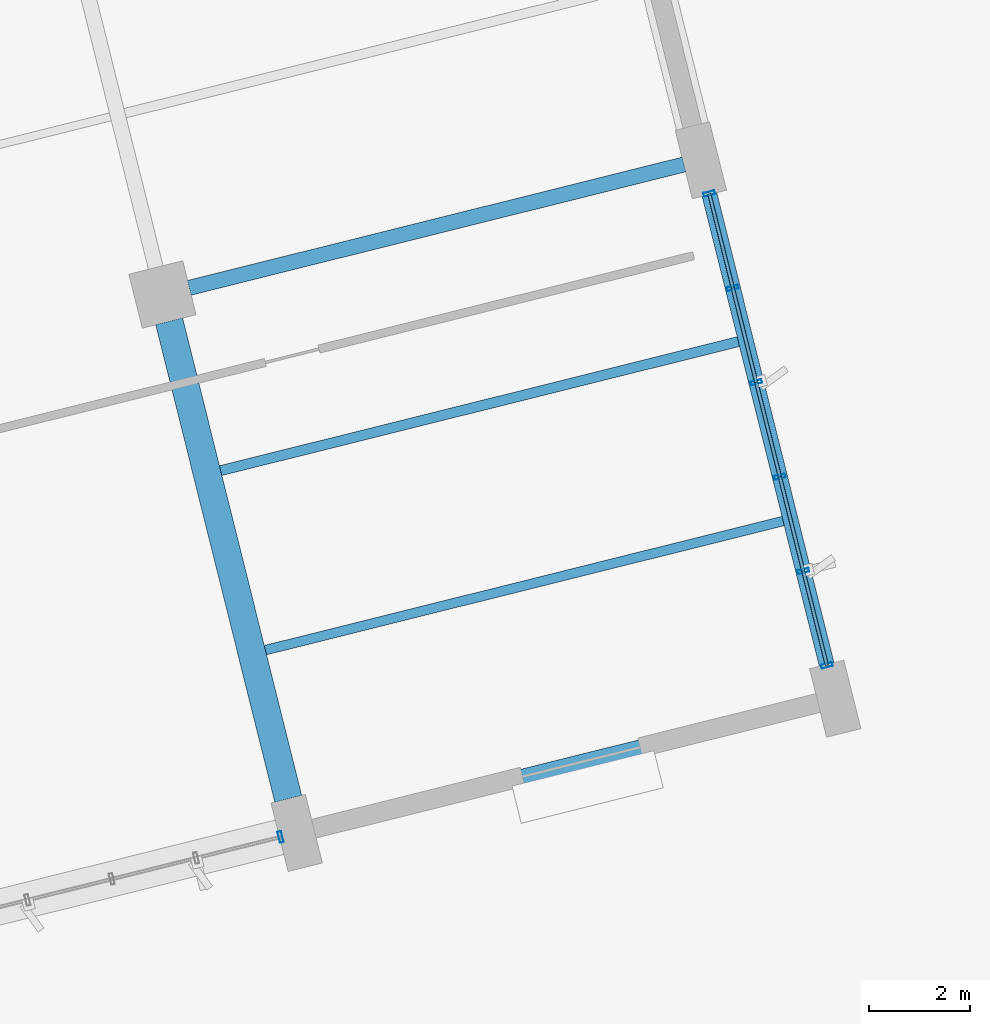
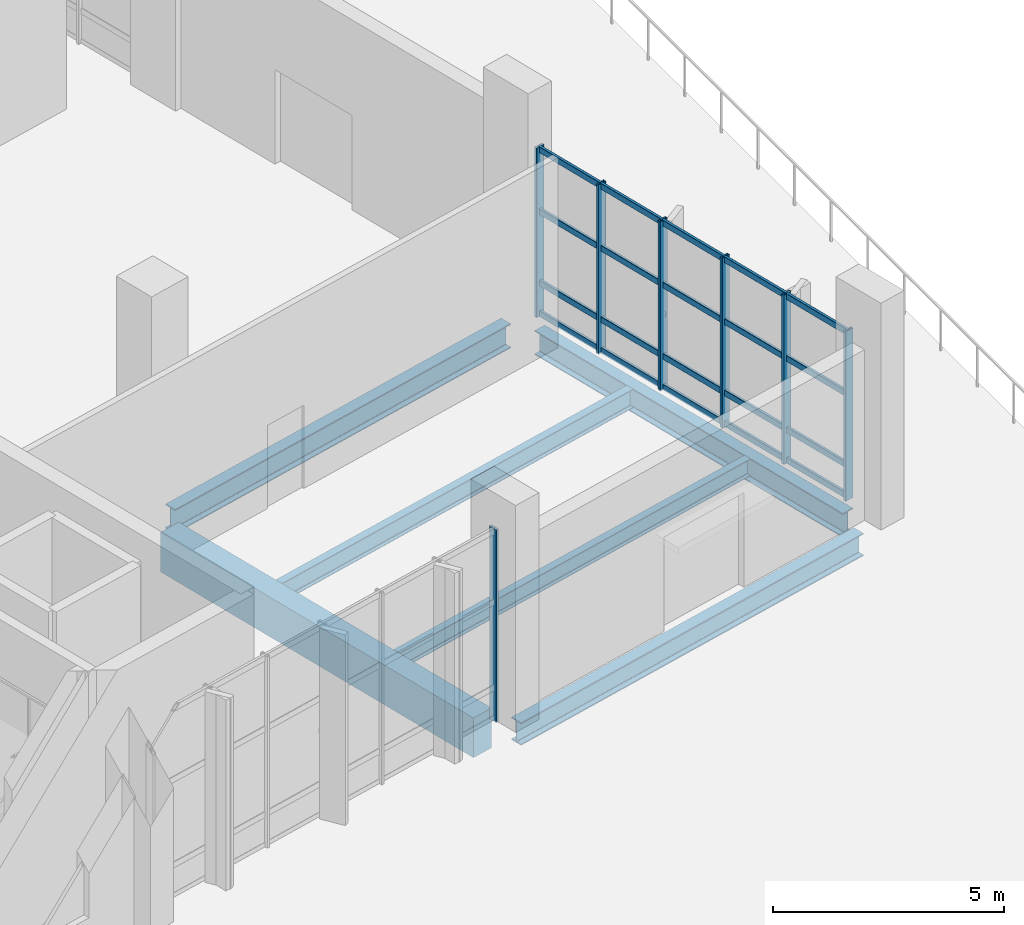
# One storey, part 89 of 163: 27 members, 6 beams, 2 elements without a shape of their own.
"""IFC4 building model written with IfcOpenShell, lengths in metres."""

import ifcopenshell
import ifcopenshell.guid

model = None  # the IFC model being written
_history = None  # IfcOwnerHistory: only IFC2X3 demands one
_inside = {}  # id of a spatial element -> (the spatial element, [elements in it])
_under = {}  # id of a project, library or spatial element -> (it, [spatial elements below it])
_declared = {}  # id of a project -> (the project, [libraries it declares])
_typed = {}  # id of a type object -> (the type object, [elements of that type])
_made_of = {}  # id of a material, layer set ... -> (it, [elements and type objects made of it])


def new_model(schema):
    """Start an empty IFC model of exactly this schema.

    Asked for "IFC4X3", IfcOpenShell would pick the latest addendum, in which some entities
    have other attributes; the version numbers below select the first issue.
    IFC2X3 requires an IfcOwnerHistory on every rooted entity: one is made here for all.
    """
    global model, _history
    if schema == "IFC4X3":
        model = ifcopenshell.file(schema_version=(4, 3, 0, 0))
    else:
        model = ifcopenshell.file(schema=schema)
    _inside.clear()
    _under.clear()
    _declared.clear()
    _typed.clear()
    _made_of.clear()
    _history = None
    if model.schema == "IFC2X3":
        org = make("IfcOrganization", Name="unknown")
        user = make(
            "IfcPersonAndOrganization",
            ThePerson=make("IfcPerson", FamilyName="unknown"),
            TheOrganization=org,
        )
        app = make(
            "IfcApplication",
            ApplicationDeveloper=org,
            Version="unknown",
            ApplicationFullName="unknown",
            ApplicationIdentifier="unknown",
        )
        _history = make(
            "IfcOwnerHistory",
            OwningUser=user,
            OwningApplication=app,
            ChangeAction="ADDED",
            CreationDate=0,
        )
    return model


def make(cls, **values):
    """One entity of the class cls with the attributes given. An attribute that is None is left unset."""
    return model.create_entity(
        cls, **{name: value for name, value in values.items() if value is not None}
    )


def rooted(cls, **values):
    """An entity with a GlobalId (a new one), such as an element, a storey or a relation."""
    return make(cls, GlobalId=ifcopenshell.guid.new(), OwnerHistory=_history, **values)


def si_unit(unit_type, name, prefix=None):
    """IfcSIUnit, for example si_unit("LENGTHUNIT", "METRE", prefix="MILLI")."""
    return make("IfcSIUnit", UnitType=unit_type, Prefix=prefix, Name=name)


def assignment(units):
    """IfcUnitAssignment: the units of a project."""
    return None if units is None else make("IfcUnitAssignment", Units=units)


def point(xyz):
    """IfcCartesianPoint."""
    return None if xyz is None else make("IfcCartesianPoint", Coordinates=xyz)


def direction(xyz):
    """IfcDirection."""
    return None if xyz is None else make("IfcDirection", DirectionRatios=xyz)


def frame(location, z_axis=None, x_axis=None):
    """IfcAxis2Placement3D, a coordinate frame: its origin and axes. An axis left out is left unset."""
    return make(
        "IfcAxis2Placement3D",
        Location=point(location),
        Axis=direction(z_axis),
        RefDirection=direction(x_axis),
    )


def frame_2d(location, x_axis=None):
    """IfcAxis2Placement2D, a coordinate frame in the plane: its origin and x axis."""
    return make(
        "IfcAxis2Placement2D", Location=point(location), RefDirection=direction(x_axis)
    )


def origin():
    """The frame at (0, 0, 0) with its axes left unset."""
    return frame((0.0, 0.0, 0.0))


def origin_2d():
    """The frame at (0, 0) in the plane with its x axis left unset."""
    return frame_2d((0.0, 0.0))


def place(relative_to, where):
    """IfcLocalPlacement: puts the frame where relative to a parent placement (None: the world)."""
    return make(
        "IfcLocalPlacement", PlacementRelTo=relative_to, RelativePlacement=where
    )


def context(
    kind, dimensions, precision=None, world=None, true_north=None, identifier=None
):
    """IfcGeometricRepresentationContext, for example the 3D "Model" context."""
    return make(
        "IfcGeometricRepresentationContext",
        ContextIdentifier=identifier,
        ContextType=kind,
        CoordinateSpaceDimension=dimensions,
        Precision=precision,
        WorldCoordinateSystem=world,
        TrueNorth=true_north,
    )


def subcontext(parent, identifier, kind, view, scale=None):
    """IfcGeometricRepresentationSubContext, for example "Body" below "Model"."""
    return make(
        "IfcGeometricRepresentationSubContext",
        ContextIdentifier=identifier,
        ContextType=kind,
        ParentContext=parent,
        TargetScale=scale,
        TargetView=view,
    )


def project(units=None, contexts=None):
    """IfcProject with its units and contexts."""
    return rooted(
        "IfcProject",
        Name="project",
        RepresentationContexts=contexts,
        UnitsInContext=assignment(units),
    )


def spatial(cls, under=None, at=None, **own):
    """A site, building, storey or space (cls), placed at a placement, below another one or the project."""
    s = rooted(cls, ObjectPlacement=at, **own)
    if under is not None:
        _under.setdefault(under.id(), (under, []))[1].append(s)
    return s


def profile(cls, at=None, kind="AREA", **sizes):
    """A parametric profile (cls). Its sizes go by their IFC names, for example OverallWidth=200.0."""
    return make(cls, ProfileType=kind, Position=at, **sizes)


def rectangle(**sizes):
    """IfcRectangleProfileDef."""
    return profile("IfcRectangleProfileDef", **sizes)


def hollow_rectangle(**sizes):
    """IfcRectangleHollowProfileDef."""
    return profile("IfcRectangleHollowProfileDef", **sizes)


def i_section(**sizes):
    """IfcIShapeProfileDef."""
    return profile("IfcIShapeProfileDef", **sizes)


def extrude(swept, where, along, depth):
    """IfcExtrudedAreaSolid: the profile swept, set in the frame where, extruded along a direction by depth."""
    return make(
        "IfcExtrudedAreaSolid",
        SweptArea=swept,
        Position=where,
        ExtrudedDirection=direction(along),
        Depth=depth,
    )


def shape(context_of_items, identifier, shape_type, items):
    """IfcShapeRepresentation: the items that make up one representation, for example the "Body"."""
    return make(
        "IfcShapeRepresentation",
        ContextOfItems=context_of_items,
        RepresentationIdentifier=identifier,
        RepresentationType=shape_type,
        Items=items,
    )


def material(Name=None, Category=None):
    """IfcMaterial."""
    return make("IfcMaterial", Name=Name, Category=Category)


def layer(
    of_material, thickness, ventilated=None, Name=None, Category=None, Priority=None
):
    """IfcMaterialLayer: one layer of a wall or slab, of a material (None: an air gap)."""
    return make(
        "IfcMaterialLayer",
        Material=of_material,
        LayerThickness=thickness,
        IsVentilated=ventilated,
        Name=Name,
        Category=Category,
        Priority=Priority,
    )


def layer_set(layers, Name=None):
    """IfcMaterialLayerSet."""
    return make("IfcMaterialLayerSet", MaterialLayers=layers, LayerSetName=Name)


def material_profile(
    of_material, cross_section, Name=None, Category=None, Priority=None
):
    """IfcMaterialProfile: a cross section and its material."""
    return make(
        "IfcMaterialProfile",
        Name=Name,
        Material=of_material,
        Profile=cross_section,
        Priority=Priority,
        Category=Category,
    )


def profile_set(profiles, Name=None, composite=None):
    """IfcMaterialProfileSet."""
    return make(
        "IfcMaterialProfileSet",
        Name=Name,
        MaterialProfiles=profiles,
        CompositeProfile=composite,
    )


def made_of(thing, what):
    """Note that an element or type object is made of a material, layer set ...; save() writes the relation."""
    if what is not None:
        _made_of.setdefault(what.id(), (what, []))[1].append(thing)
    return thing


def type_object(cls, material=None, **own):
    """A type object (cls), such as IfcWallType, which elements share."""
    return made_of(rooted(cls, **own), material)


def element(
    cls,
    number,
    at=None,
    inside=None,
    cuts=None,
    type_object=None,
    material=None,
    context=None,
    identifier="Body",
    shape_type=None,
    held_by="IfcProductDefinitionShape",
    body=None,
    shapes=None,
    **own,
):
    """One element of the class cls, such as IfcWall. Its Tag is "e" and its number.

    at: its placement. inside: the storey or other place that contains it. cuts: it is an
    opening in that element (IfcRelVoidsElement). A single representation is given by context,
    identifier, shape_type and body (its items); several are given by shapes. held_by: the class
    of the entity that holds the representations. save() writes the other relations.
    """
    e = rooted(cls, Tag="e%d" % number, ObjectPlacement=at, **own)
    if body is not None:
        shapes = [shape(context, identifier, shape_type, body)]
    if shapes is not None:
        e.Representation = make(held_by, Representations=shapes)
    if inside is not None:
        _inside.setdefault(inside.id(), (inside, []))[1].append(e)
    if cuts is not None:
        rooted(
            "IfcRelVoidsElement", RelatingBuildingElement=cuts, RelatedOpeningElement=e
        )
    if type_object is not None:
        _typed.setdefault(type_object.id(), (type_object, []))[1].append(e)
    return made_of(e, material)


def aggregate(whole, parts):
    """IfcRelAggregates: a whole, such as a stair, and the parts it consists of."""
    return rooted("IfcRelAggregates", RelatingObject=whole, RelatedObjects=parts)


def save(model, path):
    """Write the relations noted so far, then the file.

    IfcRelAggregates (storeys below a building ...), IfcRelContainedInSpatialStructure (elements
    in a storey), IfcRelDefinesByType, IfcRelAssociatesMaterial and IfcRelDeclares: one each for
    every whole, place, type object, material and project.
    """
    for whole, parts in _under.values():
        aggregate(whole, parts)
    for where, things in _inside.values():
        rooted(
            "IfcRelContainedInSpatialStructure",
            RelatedElements=things,
            RelatingStructure=where,
        )
    for kind, things in _typed.values():
        rooted("IfcRelDefinesByType", RelatedObjects=things, RelatingType=kind)
    for what, things in _made_of.values():
        rooted("IfcRelAssociatesMaterial", RelatedObjects=things, RelatingMaterial=what)
    for by, libraries in _declared.values():
        rooted("IfcRelDeclares", RelatingContext=by, RelatedDefinitions=libraries)
    model.write(path)


model = new_model("IFC4")

# Units and contexts
model_context = context("Model", 3, precision=1e-05, world=origin(), true_north=direction((0.0, 1.0)))
body_context = subcontext(model_context, "Body", "Model", "MODEL_VIEW")
ifc_project = project(units=[si_unit("LENGTHUNIT", "METRE"), si_unit("AREAUNIT", "SQUARE_METRE"), si_unit("VOLUMEUNIT", "CUBIC_METRE"), si_unit("PLANEANGLEUNIT", "RADIAN"), si_unit("MASSUNIT", "GRAM", prefix="KILO")], contexts=[model_context])

# Site, building, storey
site_placement = place(None, origin())
site = spatial("IfcSite", under=ifc_project, at=site_placement, CompositionType="ELEMENT")
building_placement = place(site_placement, origin())
building = spatial("IfcBuilding", under=site, at=building_placement, Name="Khorjan Park Terminus", CompositionType="ELEMENT")
storey_placement = place(building_placement, origin())
storey = spatial("IfcBuildingStorey", under=building, at=storey_placement, Name="L00", CompositionType="ELEMENT", Elevation=0.0)

# Beams
ifc_material_1 = material(Name="Steel S355", Category="steel")
ifc_material_profile_1 = material_profile(ifc_material_1, i_section(OverallWidth=0.3, OverallDepth=0.64, WebThickness=0.0135, FlangeThickness=0.026, FilletRadius=0.027, at=origin_2d()), Name="HEA 650")
ifc_profile_set_1 = profile_set([ifc_material_profile_1], Name="Steel S355")
beam_type_1 = type_object("IfcBeamType", Name="BM-HEA650", PredefinedType="BEAM", material=ifc_profile_set_1)
beam_1_placement = place(storey_placement, frame((217.2339, 26.1108, -0.68), z_axis=(0.970296490369, 0.241918830968, 0.0), x_axis=(-0.241918830968, 0.970296490369, 0.0)))
element("IfcBeam", 1, at=beam_1_placement, inside=storey, type_object=beam_type_1, Name="Primary skew-grid floor girder SB-A65 (L00)", PredefinedType="BEAM", context=body_context, shape_type="SweptSolid", body=[
    extrude(i_section(OverallWidth=0.3, OverallDepth=0.64, WebThickness=0.0135, FlangeThickness=0.026, FilletRadius=0.027, at=origin_2d()), origin(), (0.0, 0.0, 1.0), 10.11),
])
beam_2_placement = place(storey_placement, frame((229.8714, 18.6412, -0.68), z_axis=(-0.241925915978, 0.970294723874, 0.0), x_axis=(-0.970294723874, -0.241925915978, 0.0)))
element("IfcBeam", 2, at=beam_2_placement, inside=storey, type_object=beam_type_1, Name="Primary skew-grid floor girder SB-A65 (L00)", PredefinedType="BEAM", context=body_context, shape_type="SweptSolid", body=[
    extrude(i_section(OverallWidth=0.3, OverallDepth=0.64, WebThickness=0.0135, FlangeThickness=0.026, FilletRadius=0.027, at=origin_2d()), origin(), (0.0, 0.0, 1.0), 9.61),
])
ifc_material_profile_2 = material_profile(ifc_material_1, i_section(OverallWidth=0.3, OverallDepth=0.6, WebThickness=0.0155, FlangeThickness=0.03, FilletRadius=0.027, at=origin_2d()), Name="HEB 600")
ifc_profile_set_2 = profile_set([ifc_material_profile_2], Name="Steel S355")
beam_type_2 = type_object("IfcBeamType", Name="BM-HEB600", PredefinedType="BEAM", material=ifc_profile_set_2)
beam_3_placement = place(storey_placement, frame((219.701, 15.3892, -0.66), z_axis=(0.970296351811, 0.241919386702, 0.0), x_axis=(-0.241919386702, 0.970296351811, 0.0)))
element("IfcBeam", 3, at=beam_3_placement, inside=storey, type_object=beam_type_2, Name="Primary skew-grid floor girder SB-B60 (L00)", PredefinedType="BEAM", context=body_context, shape_type="SweptSolid", body=[
    extrude(i_section(OverallWidth=0.3, OverallDepth=0.6, WebThickness=0.0155, FlangeThickness=0.03, FilletRadius=0.027, at=origin_2d()), origin(), (0.0, 0.0, 1.0), 10.31),
])
ifc_material_2 = material(Name="Concrete C40/50", Category="concrete")
ifc_material_profile_3 = material_profile(ifc_material_2, rectangle(XDim=0.55, YDim=1.05, at=origin_2d()), Name="RC 550x1050")
ifc_profile_set_3 = profile_set([ifc_material_profile_3], Name="Concrete C40/50")
beam_type_3 = type_object("IfcBeamType", Name="BM-RC550x1050", PredefinedType="BEAM", material=ifc_profile_set_3)
beam_4_placement = place(storey_placement, frame((219.1981, 15.9801, -0.885), z_axis=(-0.241918404883, 0.970296596603, 0.0), x_axis=(-0.970296596603, -0.241918404883, 0.0)))
element("IfcBeam", 4, at=beam_4_placement, inside=storey, type_object=beam_type_3, Name="Primary skew-grid floor girder GB-105 (L00)", PredefinedType="BEAM", context=body_context, shape_type="SweptSolid", body=[
    extrude(rectangle(XDim=0.55, YDim=1.05, at=origin_2d()), origin(), (0.0, 0.0, 1.0), 9.7599),
])
ifc_material_profile_4 = material_profile(ifc_material_1, i_section(OverallWidth=0.19, OverallDepth=0.45, WebThickness=0.0094, FlangeThickness=0.0146, FilletRadius=0.021, at=origin_2d()), Name="IPE 450")
ifc_profile_set_4 = profile_set([ifc_material_profile_4], Name="Steel S355")
beam_type_4 = type_object("IfcBeamType", Name="JS-IPE450", PredefinedType="JOIST", material=ifc_profile_set_4)
beam_5_placement = place(storey_placement, frame((218.746, 18.93, -0.585), z_axis=(0.970296385626, 0.241919251074, 0.0), x_axis=(-0.241919251074, 0.970296385626, 0.0)))
element("IfcBeam", 5, at=beam_5_placement, inside=storey, type_object=beam_type_4, Name="Secondary composite floor joist SJ-45 (L00)", PredefinedType="JOIST", context=body_context, shape_type="SweptSolid", body=[
    extrude(i_section(OverallWidth=0.19, OverallDepth=0.45, WebThickness=0.0094, FlangeThickness=0.0146, FilletRadius=0.021, at=origin_2d()), origin(), (0.0, 0.0, 1.0), 10.575),
])
ifc_material_profile_5 = material_profile(ifc_material_1, i_section(OverallWidth=0.2, OverallDepth=0.5, WebThickness=0.0102, FlangeThickness=0.016, FilletRadius=0.021, at=origin_2d()), Name="IPE 500")
ifc_profile_set_5 = profile_set([ifc_material_profile_5], Name="Steel S355")
beam_type_5 = type_object("IfcBeamType", Name="JS-IPE500", PredefinedType="JOIST", material=ifc_profile_set_5)
beam_6_placement = place(storey_placement, frame((217.859, 22.4877, -0.61), z_axis=(0.970296385626, 0.241919251074, 0.0), x_axis=(-0.241919251074, 0.970296385626, 0.0)))
element("IfcBeam", 6, at=beam_6_placement, inside=storey, type_object=beam_type_5, Name="Secondary composite floor joist SJ-50 (L00)", PredefinedType="JOIST", context=body_context, shape_type="SweptSolid", body=[
    extrude(i_section(OverallWidth=0.2, OverallDepth=0.5, WebThickness=0.0102, FlangeThickness=0.016, FilletRadius=0.021, at=origin_2d()), origin(), (0.0, 0.0, 1.0), 10.575),
])

# Curtain wall, member
ifc_material_3 = material(Name="Anodized Bronze Aluminium", Category="aluminium")
ifc_layer = layer(ifc_material_3, 0.22)
ifc_layer_set = layer_set([ifc_layer], Name="Anodized Bronze Aluminium")
curtain_wall_type = type_object("IfcCurtainWallType", Name="CW-OPS-B", PredefinedType="NOTDEFINED", material=ifc_layer_set)
curtain_wall_1_placement = place(storey_placement, origin())
curtain_wall_1 = element("IfcCurtainWall", 7, at=curtain_wall_1_placement, inside=storey, type_object=curtain_wall_type, Name="Unitized curtain wall CW-B (CW-V5-S-L00-B05)", PredefinedType="NOTDEFINED")
ifc_material_profile_6 = material_profile(ifc_material_3, hollow_rectangle(XDim=0.075, YDim=0.225, WallThickness=0.005, InnerFilletRadius=0.005, OuterFilletRadius=0.01, at=origin_2d()), Name="ALM 75x225x5")
ifc_profile_set_6 = profile_set([ifc_material_profile_6], Name="Anodized Bronze Aluminium")
member_type_1 = type_object("IfcMemberType", Name="ML-ALM-225", PredefinedType="MULLION", material=ifc_profile_set_6)
member_1_placement = place(storey_placement, frame((219.0459, 15.2258, -0.035), z_axis=(0.0, 0.0, 1.0), x_axis=(0.970298180833, 0.241912050695, 0.0)))
member_1 = element("IfcMember", 8, at=member_1_placement, type_object=member_type_1, Name="Curtain-wall mullion ML-22 (CW-V5-S-L00-B05-6)", PredefinedType="MULLION", context=body_context, shape_type="SweptSolid", body=[
    extrude(hollow_rectangle(XDim=0.075, YDim=0.225, WallThickness=0.005, InnerFilletRadius=0.005, OuterFilletRadius=0.01, at=origin_2d()), origin(), (0.0, 0.0, 1.0), 5.095),
])
aggregate(curtain_wall_1, [member_1])

# Curtain wall, members
curtain_wall_2_placement = place(storey_placement, origin())
curtain_wall_2 = element("IfcCurtainWall", 9, at=curtain_wall_2_placement, inside=storey, type_object=curtain_wall_type, Name="Unitized curtain wall CW-B (CW-V5-E-L00-B01)", PredefinedType="NOTDEFINED")
member_2_placement = place(storey_placement, frame((229.875, 18.6267, -0.035), z_axis=(0.0, 0.0, 1.0), x_axis=(-0.241920488516, 0.9702960771, 0.0)))
member_2 = element("IfcMember", 10, at=member_2_placement, type_object=member_type_1, Name="Curtain-wall mullion ML-22 (CW-V5-E-L00-B01-0)", PredefinedType="MULLION", context=body_context, shape_type="SweptSolid", body=[
    extrude(hollow_rectangle(XDim=0.075, YDim=0.225, WallThickness=0.005, InnerFilletRadius=0.005, OuterFilletRadius=0.01, at=origin_2d()), origin(), (0.0, 0.0, 1.0), 4.485),
])
member_3_placement = place(storey_placement, frame((229.4086, 20.4974, -0.035), z_axis=(0.0, 0.0, 1.0), x_axis=(-0.241920488516, 0.9702960771, 0.0)))
member_3 = element("IfcMember", 11, at=member_3_placement, type_object=member_type_1, Name="Curtain-wall mullion ML-22 (CW-V5-E-L00-B01-1)", PredefinedType="MULLION", context=body_context, shape_type="SweptSolid", body=[
    extrude(hollow_rectangle(XDim=0.075, YDim=0.225, WallThickness=0.005, InnerFilletRadius=0.005, OuterFilletRadius=0.01, at=origin_2d()), origin(), (0.0, 0.0, 1.0), 4.485),
])
member_4_placement = place(storey_placement, frame((228.9422, 22.3681, -0.035), z_axis=(0.0, 0.0, 1.0), x_axis=(-0.241920488516, 0.9702960771, 0.0)))
member_4 = element("IfcMember", 12, at=member_4_placement, type_object=member_type_1, Name="Curtain-wall mullion ML-22 (CW-V5-E-L00-B01-2)", PredefinedType="MULLION", context=body_context, shape_type="SweptSolid", body=[
    extrude(hollow_rectangle(XDim=0.075, YDim=0.225, WallThickness=0.005, InnerFilletRadius=0.005, OuterFilletRadius=0.01, at=origin_2d()), origin(), (0.0, 0.0, 1.0), 4.485),
])
member_5_placement = place(storey_placement, frame((228.4757, 24.2389, -0.035), z_axis=(0.0, 0.0, 1.0), x_axis=(-0.241920488516, 0.9702960771, 0.0)))
member_5 = element("IfcMember", 13, at=member_5_placement, type_object=member_type_1, Name="Curtain-wall mullion ML-22 (CW-V5-E-L00-B01-3)", PredefinedType="MULLION", context=body_context, shape_type="SweptSolid", body=[
    extrude(hollow_rectangle(XDim=0.075, YDim=0.225, WallThickness=0.005, InnerFilletRadius=0.005, OuterFilletRadius=0.01, at=origin_2d()), origin(), (0.0, 0.0, 1.0), 4.485),
])
member_6_placement = place(storey_placement, frame((228.0093, 26.1096, -0.035), z_axis=(0.0, 0.0, 1.0), x_axis=(-0.241920488516, 0.9702960771, 0.0)))
member_6 = element("IfcMember", 14, at=member_6_placement, type_object=member_type_1, Name="Curtain-wall mullion ML-22 (CW-V5-E-L00-B01-4)", PredefinedType="MULLION", context=body_context, shape_type="SweptSolid", body=[
    extrude(hollow_rectangle(XDim=0.075, YDim=0.225, WallThickness=0.005, InnerFilletRadius=0.005, OuterFilletRadius=0.01, at=origin_2d()), origin(), (0.0, 0.0, 1.0), 4.485),
])
member_7_placement = place(storey_placement, frame((227.5429, 27.9803, -0.035), z_axis=(0.0, 0.0, 1.0), x_axis=(-0.241920488516, 0.9702960771, 0.0)))
member_7 = element("IfcMember", 15, at=member_7_placement, type_object=member_type_1, Name="Curtain-wall mullion ML-22 (CW-V5-E-L00-B01-5)", PredefinedType="MULLION", context=body_context, shape_type="SweptSolid", body=[
    extrude(hollow_rectangle(XDim=0.075, YDim=0.225, WallThickness=0.005, InnerFilletRadius=0.005, OuterFilletRadius=0.01, at=origin_2d()), origin(), (0.0, 0.0, 1.0), 4.485),
])
ifc_material_profile_7 = material_profile(ifc_material_3, hollow_rectangle(XDim=0.07, YDim=0.16, WallThickness=0.004, InnerFilletRadius=0.004, OuterFilletRadius=0.008, at=origin_2d()), Name="ALT 70x160x4")
ifc_profile_set_7 = profile_set([ifc_material_profile_7], Name="Anodized Bronze Aluminium")
member_type_2 = type_object("IfcMemberType", Name="TR-ALT-160", PredefinedType="USERDEFINED", material=ifc_profile_set_7)
member_8_placement = place(storey_placement, frame((229.875, 18.6267, 0.04), z_axis=(-0.241913157049, 0.970297905, 0.0), x_axis=(-0.970297905, -0.241913157049, 0.0)))
member_8 = element("IfcMember", 16, at=member_8_placement, type_object=member_type_2, Name="Curtain-wall transom TR-16 (CW-V5-E-L00-B01-0-1)", ObjectType="TRANSOM", PredefinedType="USERDEFINED", context=body_context, shape_type="SweptSolid", body=[
    extrude(hollow_rectangle(XDim=0.07, YDim=0.16, WallThickness=0.004, InnerFilletRadius=0.004, OuterFilletRadius=0.008, at=origin_2d()), origin(), (0.0, 0.0, 1.0), 1.928),
])
member_9_placement = place(storey_placement, frame((229.875, 18.6267, 0.85), z_axis=(-0.241913157049, 0.970297905, 0.0), x_axis=(-0.970297905, -0.241913157049, 0.0)))
member_9 = element("IfcMember", 17, at=member_9_placement, type_object=member_type_2, Name="Curtain-wall transom TR-16 (CW-V5-E-L00-B01-0-2)", ObjectType="TRANSOM", PredefinedType="USERDEFINED", context=body_context, shape_type="SweptSolid", body=[
    extrude(hollow_rectangle(XDim=0.07, YDim=0.16, WallThickness=0.004, InnerFilletRadius=0.004, OuterFilletRadius=0.008, at=origin_2d()), origin(), (0.0, 0.0, 1.0), 1.928),
])
member_10_placement = place(storey_placement, frame((229.875, 18.6267, 2.7373), z_axis=(-0.241913157049, 0.970297905, 0.0), x_axis=(-0.970297905, -0.241913157049, 0.0)))
member_10 = element("IfcMember", 18, at=member_10_placement, type_object=member_type_2, Name="Curtain-wall transom TR-16 (CW-V5-E-L00-B01-0-3)", ObjectType="TRANSOM", PredefinedType="USERDEFINED", context=body_context, shape_type="SweptSolid", body=[
    extrude(hollow_rectangle(XDim=0.07, YDim=0.16, WallThickness=0.004, InnerFilletRadius=0.004, OuterFilletRadius=0.008, at=origin_2d()), origin(), (0.0, 0.0, 1.0), 1.928),
])
member_11_placement = place(storey_placement, frame((229.875, 18.6267, 4.375), z_axis=(-0.241913157049, 0.970297905, 0.0), x_axis=(-0.970297905, -0.241913157049, 0.0)))
member_11 = element("IfcMember", 19, at=member_11_placement, type_object=member_type_2, Name="Curtain-wall transom TR-16 (CW-V5-E-L00-B01-0-4)", ObjectType="TRANSOM", PredefinedType="USERDEFINED", context=body_context, shape_type="SweptSolid", body=[
    extrude(hollow_rectangle(XDim=0.07, YDim=0.16, WallThickness=0.004, InnerFilletRadius=0.004, OuterFilletRadius=0.008, at=origin_2d()), origin(), (0.0, 0.0, 1.0), 1.928),
])
member_12_placement = place(storey_placement, frame((229.4086, 20.4974, 0.04), z_axis=(-0.241913157049, 0.970297905, 0.0), x_axis=(-0.970297905, -0.241913157049, 0.0)))
member_12 = element("IfcMember", 20, at=member_12_placement, type_object=member_type_2, Name="Curtain-wall transom TR-16 (CW-V5-E-L00-B01-1-1)", ObjectType="TRANSOM", PredefinedType="USERDEFINED", context=body_context, shape_type="SweptSolid", body=[
    extrude(hollow_rectangle(XDim=0.07, YDim=0.16, WallThickness=0.004, InnerFilletRadius=0.004, OuterFilletRadius=0.008, at=origin_2d()), origin(), (0.0, 0.0, 1.0), 1.928),
])
member_13_placement = place(storey_placement, frame((229.4086, 20.4974, 0.85), z_axis=(-0.241913157049, 0.970297905, 0.0), x_axis=(-0.970297905, -0.241913157049, 0.0)))
member_13 = element("IfcMember", 21, at=member_13_placement, type_object=member_type_2, Name="Curtain-wall transom TR-16 (CW-V5-E-L00-B01-1-2)", ObjectType="TRANSOM", PredefinedType="USERDEFINED", context=body_context, shape_type="SweptSolid", body=[
    extrude(hollow_rectangle(XDim=0.07, YDim=0.16, WallThickness=0.004, InnerFilletRadius=0.004, OuterFilletRadius=0.008, at=origin_2d()), origin(), (0.0, 0.0, 1.0), 1.928),
])
member_14_placement = place(storey_placement, frame((229.4086, 20.4974, 2.7373), z_axis=(-0.241913157049, 0.970297905, 0.0), x_axis=(-0.970297905, -0.241913157049, 0.0)))
member_14 = element("IfcMember", 22, at=member_14_placement, type_object=member_type_2, Name="Curtain-wall transom TR-16 (CW-V5-E-L00-B01-1-3)", ObjectType="TRANSOM", PredefinedType="USERDEFINED", context=body_context, shape_type="SweptSolid", body=[
    extrude(hollow_rectangle(XDim=0.07, YDim=0.16, WallThickness=0.004, InnerFilletRadius=0.004, OuterFilletRadius=0.008, at=origin_2d()), origin(), (0.0, 0.0, 1.0), 1.928),
])
member_15_placement = place(storey_placement, frame((229.4086, 20.4974, 4.375), z_axis=(-0.241913157049, 0.970297905, 0.0), x_axis=(-0.970297905, -0.241913157049, 0.0)))
member_15 = element("IfcMember", 23, at=member_15_placement, type_object=member_type_2, Name="Curtain-wall transom TR-16 (CW-V5-E-L00-B01-1-4)", ObjectType="TRANSOM", PredefinedType="USERDEFINED", context=body_context, shape_type="SweptSolid", body=[
    extrude(hollow_rectangle(XDim=0.07, YDim=0.16, WallThickness=0.004, InnerFilletRadius=0.004, OuterFilletRadius=0.008, at=origin_2d()), origin(), (0.0, 0.0, 1.0), 1.928),
])
member_16_placement = place(storey_placement, frame((228.9422, 22.3681, 0.04), z_axis=(-0.241949812413, 0.970288765406, 0.0), x_axis=(-0.970288765406, -0.241949812413, 0.0)))
member_16 = element("IfcMember", 24, at=member_16_placement, type_object=member_type_2, Name="Curtain-wall transom TR-16 (CW-V5-E-L00-B01-2-1)", ObjectType="TRANSOM", PredefinedType="USERDEFINED", context=body_context, shape_type="SweptSolid", body=[
    extrude(hollow_rectangle(XDim=0.07, YDim=0.16, WallThickness=0.004, InnerFilletRadius=0.004, OuterFilletRadius=0.008, at=origin_2d()), origin(), (0.0, 0.0, 1.0), 1.9281),
])
member_17_placement = place(storey_placement, frame((228.9422, 22.3681, 0.85), z_axis=(-0.241949812413, 0.970288765406, 0.0), x_axis=(-0.970288765406, -0.241949812413, 0.0)))
member_17 = element("IfcMember", 25, at=member_17_placement, type_object=member_type_2, Name="Curtain-wall transom TR-16 (CW-V5-E-L00-B01-2-2)", ObjectType="TRANSOM", PredefinedType="USERDEFINED", context=body_context, shape_type="SweptSolid", body=[
    extrude(hollow_rectangle(XDim=0.07, YDim=0.16, WallThickness=0.004, InnerFilletRadius=0.004, OuterFilletRadius=0.008, at=origin_2d()), origin(), (0.0, 0.0, 1.0), 1.9281),
])
member_18_placement = place(storey_placement, frame((228.9422, 22.3681, 2.7373), z_axis=(-0.241949812413, 0.970288765406, 0.0), x_axis=(-0.970288765406, -0.241949812413, 0.0)))
member_18 = element("IfcMember", 26, at=member_18_placement, type_object=member_type_2, Name="Curtain-wall transom TR-16 (CW-V5-E-L00-B01-2-3)", ObjectType="TRANSOM", PredefinedType="USERDEFINED", context=body_context, shape_type="SweptSolid", body=[
    extrude(hollow_rectangle(XDim=0.07, YDim=0.16, WallThickness=0.004, InnerFilletRadius=0.004, OuterFilletRadius=0.008, at=origin_2d()), origin(), (0.0, 0.0, 1.0), 1.9281),
])
member_19_placement = place(storey_placement, frame((228.9422, 22.3681, 4.375), z_axis=(-0.241949812413, 0.970288765406, 0.0), x_axis=(-0.970288765406, -0.241949812413, 0.0)))
member_19 = element("IfcMember", 27, at=member_19_placement, type_object=member_type_2, Name="Curtain-wall transom TR-16 (CW-V5-E-L00-B01-2-4)", ObjectType="TRANSOM", PredefinedType="USERDEFINED", context=body_context, shape_type="SweptSolid", body=[
    extrude(hollow_rectangle(XDim=0.07, YDim=0.16, WallThickness=0.004, InnerFilletRadius=0.004, OuterFilletRadius=0.008, at=origin_2d()), origin(), (0.0, 0.0, 1.0), 1.9281),
])
member_20_placement = place(storey_placement, frame((228.4757, 24.2389, 0.04), z_axis=(-0.241913157049, 0.970297905, 0.0), x_axis=(-0.970297905, -0.241913157049, 0.0)))
member_20 = element("IfcMember", 28, at=member_20_placement, type_object=member_type_2, Name="Curtain-wall transom TR-16 (CW-V5-E-L00-B01-3-1)", ObjectType="TRANSOM", PredefinedType="USERDEFINED", context=body_context, shape_type="SweptSolid", body=[
    extrude(hollow_rectangle(XDim=0.07, YDim=0.16, WallThickness=0.004, InnerFilletRadius=0.004, OuterFilletRadius=0.008, at=origin_2d()), origin(), (0.0, 0.0, 1.0), 1.928),
])
member_21_placement = place(storey_placement, frame((228.4757, 24.2389, 0.85), z_axis=(-0.241913157049, 0.970297905, 0.0), x_axis=(-0.970297905, -0.241913157049, 0.0)))
member_21 = element("IfcMember", 29, at=member_21_placement, type_object=member_type_2, Name="Curtain-wall transom TR-16 (CW-V5-E-L00-B01-3-2)", ObjectType="TRANSOM", PredefinedType="USERDEFINED", context=body_context, shape_type="SweptSolid", body=[
    extrude(hollow_rectangle(XDim=0.07, YDim=0.16, WallThickness=0.004, InnerFilletRadius=0.004, OuterFilletRadius=0.008, at=origin_2d()), origin(), (0.0, 0.0, 1.0), 1.928),
])
member_22_placement = place(storey_placement, frame((228.4757, 24.2389, 2.7373), z_axis=(-0.241913157049, 0.970297905, 0.0), x_axis=(-0.970297905, -0.241913157049, 0.0)))
member_22 = element("IfcMember", 30, at=member_22_placement, type_object=member_type_2, Name="Curtain-wall transom TR-16 (CW-V5-E-L00-B01-3-3)", ObjectType="TRANSOM", PredefinedType="USERDEFINED", context=body_context, shape_type="SweptSolid", body=[
    extrude(hollow_rectangle(XDim=0.07, YDim=0.16, WallThickness=0.004, InnerFilletRadius=0.004, OuterFilletRadius=0.008, at=origin_2d()), origin(), (0.0, 0.0, 1.0), 1.928),
])
member_23_placement = place(storey_placement, frame((228.4757, 24.2389, 4.375), z_axis=(-0.241913157049, 0.970297905, 0.0), x_axis=(-0.970297905, -0.241913157049, 0.0)))
member_23 = element("IfcMember", 31, at=member_23_placement, type_object=member_type_2, Name="Curtain-wall transom TR-16 (CW-V5-E-L00-B01-3-4)", ObjectType="TRANSOM", PredefinedType="USERDEFINED", context=body_context, shape_type="SweptSolid", body=[
    extrude(hollow_rectangle(XDim=0.07, YDim=0.16, WallThickness=0.004, InnerFilletRadius=0.004, OuterFilletRadius=0.008, at=origin_2d()), origin(), (0.0, 0.0, 1.0), 1.928),
])
member_24_placement = place(storey_placement, frame((228.0093, 26.1096, 0.04), z_axis=(-0.241913157049, 0.970297905, 0.0), x_axis=(-0.970297905, -0.241913157049, 0.0)))
member_24 = element("IfcMember", 32, at=member_24_placement, type_object=member_type_2, Name="Curtain-wall transom TR-16 (CW-V5-E-L00-B01-4-1)", ObjectType="TRANSOM", PredefinedType="USERDEFINED", context=body_context, shape_type="SweptSolid", body=[
    extrude(hollow_rectangle(XDim=0.07, YDim=0.16, WallThickness=0.004, InnerFilletRadius=0.004, OuterFilletRadius=0.008, at=origin_2d()), origin(), (0.0, 0.0, 1.0), 1.928),
])
member_25_placement = place(storey_placement, frame((228.0093, 26.1096, 0.85), z_axis=(-0.241913157049, 0.970297905, 0.0), x_axis=(-0.970297905, -0.241913157049, 0.0)))
member_25 = element("IfcMember", 33, at=member_25_placement, type_object=member_type_2, Name="Curtain-wall transom TR-16 (CW-V5-E-L00-B01-4-2)", ObjectType="TRANSOM", PredefinedType="USERDEFINED", context=body_context, shape_type="SweptSolid", body=[
    extrude(hollow_rectangle(XDim=0.07, YDim=0.16, WallThickness=0.004, InnerFilletRadius=0.004, OuterFilletRadius=0.008, at=origin_2d()), origin(), (0.0, 0.0, 1.0), 1.928),
])
member_26_placement = place(storey_placement, frame((228.0093, 26.1096, 2.7373), z_axis=(-0.241913157049, 0.970297905, 0.0), x_axis=(-0.970297905, -0.241913157049, 0.0)))
member_26 = element("IfcMember", 34, at=member_26_placement, type_object=member_type_2, Name="Curtain-wall transom TR-16 (CW-V5-E-L00-B01-4-3)", ObjectType="TRANSOM", PredefinedType="USERDEFINED", context=body_context, shape_type="SweptSolid", body=[
    extrude(hollow_rectangle(XDim=0.07, YDim=0.16, WallThickness=0.004, InnerFilletRadius=0.004, OuterFilletRadius=0.008, at=origin_2d()), origin(), (0.0, 0.0, 1.0), 1.928),
])
member_27_placement = place(storey_placement, frame((228.0093, 26.1096, 4.375), z_axis=(-0.241913157049, 0.970297905, 0.0), x_axis=(-0.970297905, -0.241913157049, 0.0)))
member_27 = element("IfcMember", 35, at=member_27_placement, type_object=member_type_2, Name="Curtain-wall transom TR-16 (CW-V5-E-L00-B01-4-4)", ObjectType="TRANSOM", PredefinedType="USERDEFINED", context=body_context, shape_type="SweptSolid", body=[
    extrude(hollow_rectangle(XDim=0.07, YDim=0.16, WallThickness=0.004, InnerFilletRadius=0.004, OuterFilletRadius=0.008, at=origin_2d()), origin(), (0.0, 0.0, 1.0), 1.928),
])
aggregate(curtain_wall_2, [member_2, member_3, member_4, member_5, member_6, member_7, member_8, member_9, member_10, member_11, member_12, member_13, member_14, member_15, member_16, member_17, member_18, member_19, member_20, member_21, member_22, member_23, member_24, member_25, member_26, member_27])

save(model, "model.ifc")
